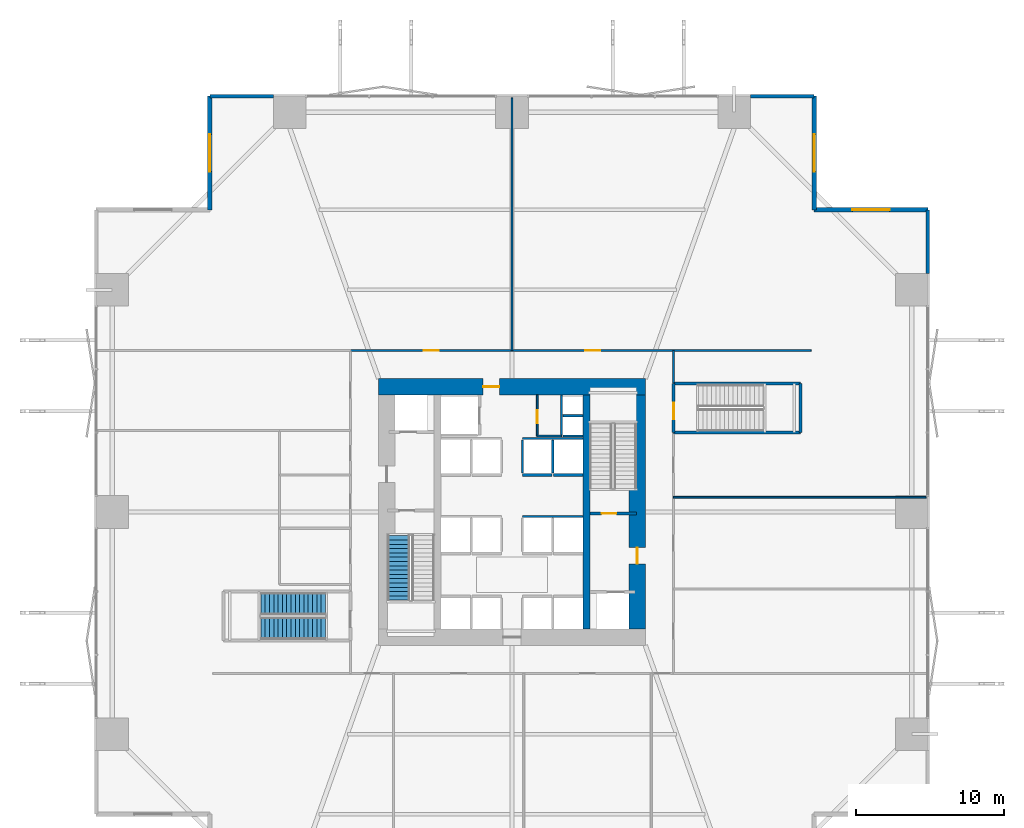
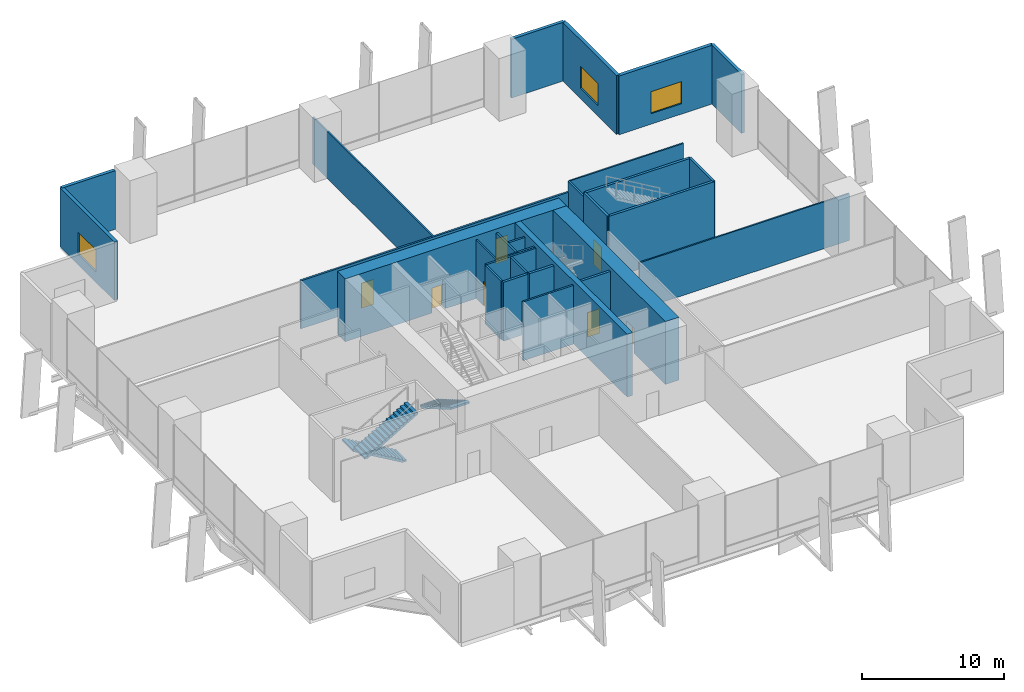
# One storey, part 21 of 24: 30 walls, 7 doors, 3 stair flights, 3 windows, 10 openings, 2 elements without a shape of their own.
"""IFC4 building model written with IfcOpenShell, lengths in metres."""

from ifc_helpers import new_model, si_unit, direction, frame, frame_2d, origin, place, context, subcontext, project, spatial, polyline, rectangle, outline, extrude, material, layer, layer_set, type_object, element, fill, aggregate, save


model = new_model("IFC4")

# Units and contexts
model_context = context("Model", 3, precision=1e-05, world=origin(), true_north=direction((0.0, 1.0)))
body_context = subcontext(model_context, "Body", "Model", "MODEL_VIEW")
ifc_project = project(units=[si_unit("LENGTHUNIT", "METRE"), si_unit("AREAUNIT", "SQUARE_METRE"), si_unit("VOLUMEUNIT", "CUBIC_METRE"), si_unit("PLANEANGLEUNIT", "RADIAN"), si_unit("MASSUNIT", "GRAM", prefix="KILO")], contexts=[model_context])

# Site, building, storey
site_placement = place(None, origin())
site = spatial("IfcSite", under=ifc_project, at=site_placement, CompositionType="ELEMENT")
building_placement = place(site_placement, origin())
building = spatial("IfcBuilding", under=site, at=building_placement, Name="Belovzor Exchange Tower", CompositionType="ELEMENT")
storey_placement = place(building_placement, frame((0.0, 0.0, 13.800048828125)))
storey = spatial("IfcBuildingStorey", under=building, at=storey_placement, Name="L03", CompositionType="ELEMENT", Elevation=13.800048828125)

# Walls
ifc_material_1 = material(Name="Acoustic Plasterboard on Galvanised Studs", Category="gypsum")
ifc_layer_1 = layer(ifc_material_1, 0.1201171875)
ifc_layer_set_1 = layer_set([ifc_layer_1], Name="Acoustic Plasterboard on Galvanised Studs")
wall_type_1 = type_object("IfcWallType", Name="Acoustic Double-Stud Partition Wall 120", PredefinedType="PARTITIONING", material=ifc_layer_set_1)
for number, where, z_axis, x_axis, name in (
    (1, (28.800048828125, 39.699951171875, 0.0), (0.0, 0.0, 1.0), (0.0, 1.0, 0.0), "W-P120 Partition Wall W-L03-ND1"),
    (2, (39.699951171875, 29.800048828125, 0.0), (0.0, 0.0, 1.0), (1.0, 0.0, 0.0), "W-P120 Partition Wall W-L03-ED2"),
):
    element("IfcWall", number, at=place(storey_placement, frame(where, z_axis=z_axis, x_axis=x_axis)), inside=storey, type_object=wall_type_1, Name=name, PredefinedType="PARTITIONING", context=body_context, shape_type="SweptSolid", body=[
        extrude(rectangle(XDim=17.050048828125, YDim=0.1201171875, at=frame_2d((8.52490234375, 0.0))), origin(), (0.0, 0.0, 1.0), 4.034912109375),
    ])
wall_1_placement = place(storey_placement, frame((39.699951171875, 39.699951171875, 0.0), z_axis=(0.0, 0.0, 1.0), x_axis=(1.0, 0.0, 0.0)))
element("IfcWall", 3, at=wall_1_placement, inside=storey, type_object=wall_type_1, Name="W-P120 Partition Wall W-L03-OUT-NE", PredefinedType="PARTITIONING", context=body_context, shape_type="SweptSolid", body=[
    extrude(rectangle(XDim=9.300048828125, YDim=0.1201171875, at=frame_2d((4.64990234375, 0.0))), origin(), (0.0, 0.0, 1.0), 5.050048828125),
])

# Wall, opening, door
ifc_material_2 = material(Name="Fire-Rated Plasterboard on Galvanised Studs", Category="gypsum")
ifc_layer_2 = layer(ifc_material_2, 0.1201171875)
ifc_layer_set_2 = layer_set([ifc_layer_2], Name="Fire-Rated Plasterboard on Galvanised Studs")
wall_type_2 = type_object("IfcWallType", Name="Fire-Rated Double-Stud Partition Wall 120", PredefinedType="PARTITIONING", material=ifc_layer_set_2)
wall_2_placement = place(storey_placement, frame((30.5, 33.925048828125, 0.0), z_axis=(0.0, 0.0, 1.0), x_axis=(0.0, 1.0, 0.0)))
wall_2 = element("IfcWall", 4, at=wall_2_placement, inside=storey, type_object=wall_type_2, Name="W-P120F Partition Wall W-CRV-L03-W", PredefinedType="PARTITIONING", context=body_context, shape_type="SweptSolid", body=[
    extrude(rectangle(XDim=2.77490234375, YDim=0.1201171875, at=frame_2d((1.387451171875, 0.0))), origin(), (0.0, 0.0, 1.0), 5.050048828125),
])
opening_1_placement = place(wall_2_placement, frame((0.85009765625, 0.0, 0.0)))
opening_1 = element("IfcOpeningElement", 5, at=opening_1_placement, cuts=wall_2, Name="Opening D-FD60-090", PredefinedType="OPENING", context=body_context, shape_type="SweptSolid", body=[
    extrude(rectangle(XDim=0.89990234375, YDim=2.10009765625, at=frame_2d((0.449951171875, 1.050048828125))), frame((0.0, 0.070068359375, 0.0), z_axis=(0.0, -1.0, 0.0), x_axis=(1.0, 0.0, 0.0)), (0.0, 0.0, 1.0), 0.14013671875),
])
ifc_material_3 = material(Name="Acoustic Timber Fire Leaf", Category="wood")
door_type_1 = type_object("IfcDoorType", Name="Core Service & Restroom Fire Door 900x2100", OperationType="NOTDEFINED", PredefinedType="DOOR", material=ifc_material_3)
door_1_placement = place(opening_1_placement, origin())
door_1 = element("IfcDoor", 6, at=door_1_placement, inside=storey, type_object=door_type_1, Name="D-FD60-090 Core Service & Restroom Fire Door 900x2100", OperationType="SINGLE_SWING_LEFT", OverallHeight=2.10009765625, OverallWidth=0.89990234375, PredefinedType="DOOR", context=body_context, shape_type="SweptSolid", body=[
    extrude(rectangle(XDim=0.89990234375, YDim=2.10009765625, at=frame_2d((0.449951171875, 1.050048828125))), frame((0.0, 0.02490234375, 0.0), z_axis=(0.0, -1.0, 0.0), x_axis=(1.0, 0.0, 0.0)), (0.0, 0.0, 1.0), 0.050048828125),
])
fill(opening_1, door_1)

# Wall
wall_3_placement = place(storey_placement, frame((30.5, 33.925048828125, 0.0), z_axis=(0.0, 0.0, 1.0), x_axis=(1.0, 0.0, 0.0)))
element("IfcWall", 7, at=wall_3_placement, inside=storey, type_object=wall_type_2, Name="W-P120F Partition Wall W-CRV-L03-S", PredefinedType="PARTITIONING", context=body_context, shape_type="SweptSolid", body=[
    extrude(rectangle(XDim=1.64990234375, YDim=0.1201171875, at=frame_2d((0.824951171875, 0.0))), origin(), (0.0, 0.0, 1.0), 5.050048828125),
])

# Wall, openings, doors
ifc_material_4 = material(Name="Fire-Rated Gypsum Block and Mineral Wool", Category="gypsum")
ifc_layer_3 = layer(ifc_material_4, 0.14990234375)
ifc_layer_set_3 = layer_set([ifc_layer_3], Name="Fire-Rated Gypsum Block and Mineral Wool")
wall_type_3 = type_object("IfcWallType", Name="Fire-Rated Gypsum Block Corridor Wall 150", PredefinedType="PARTITIONING", material=ifc_layer_set_3)
wall_4_placement = place(storey_placement, frame((17.89990234375, 39.699951171875, 0.0), z_axis=(0.0, 0.0, 1.0), x_axis=(1.0, 0.0, 0.0)))
wall_4 = element("IfcWall", 8, at=wall_4_placement, inside=storey, type_object=wall_type_3, Name="W-P150 Partition Wall W-L03-CN", PredefinedType="PARTITIONING", context=body_context, shape_type="SweptSolid", body=[
    extrude(rectangle(XDim=21.800048828125, YDim=0.14990234375, at=frame_2d((10.89990234375, 0.0))), origin(), (0.0, 0.0, 1.0), 4.135009765625),
])
opening_2_placement = place(wall_4_placement, frame((4.949951171875, 0.0, 0.0)))
opening_2 = element("IfcOpeningElement", 9, at=opening_2_placement, cuts=wall_4, Name="Opening D-FD60-105", PredefinedType="OPENING", context=body_context, shape_type="SweptSolid", body=[
    extrude(rectangle(XDim=1.0, YDim=2.14990234375, at=frame_2d((0.5, 1.074951171875))), frame((0.0, 0.0849609375, 0.0), z_axis=(0.0, -1.0, 0.0), x_axis=(1.0, 0.0, 0.0)), (0.0, 0.0, 1.0), 0.169921875),
])
opening_3_placement = place(wall_4_placement, frame((15.85009765625, 0.0, 0.0)))
opening_3 = element("IfcOpeningElement", 10, at=opening_3_placement, cuts=wall_4, Name="Opening D-FD60-105", PredefinedType="OPENING", context=body_context, shape_type="SweptSolid", body=[
    extrude(rectangle(XDim=1.0, YDim=2.14990234375, at=frame_2d((0.5, 1.074951171875))), frame((0.0, 0.0849609375, 0.0), z_axis=(0.0, -1.0, 0.0), x_axis=(1.0, 0.0, 0.0)), (0.0, 0.0, 1.0), 0.169921875),
])
ifc_material_5 = material(Name="Acoustic Timber Fire Leaf", Category="wood")
door_type_2 = type_object("IfcDoorType", Name="Podium Gallery Acoustic Fire Door 1000x2150", OperationType="NOTDEFINED", PredefinedType="DOOR", material=ifc_material_5)
door_2_placement = place(opening_2_placement, origin())
door_2 = element("IfcDoor", 11, at=door_2_placement, inside=storey, type_object=door_type_2, Name="D-FD60-105 Podium Gallery Acoustic Fire Door 1000x2150", OperationType="SINGLE_SWING_RIGHT", OverallHeight=2.14990234375, OverallWidth=1.0, PredefinedType="DOOR", context=body_context, shape_type="SweptSolid", body=[
    extrude(rectangle(XDim=1.0, YDim=2.14990234375, at=frame_2d((0.5, 1.074951171875))), frame((0.0, 0.02490234375, 0.0), z_axis=(0.0, -1.0, 0.0), x_axis=(1.0, 0.0, 0.0)), (0.0, 0.0, 1.0), 0.050048828125),
])
fill(opening_2, door_2)
door_3_placement = place(opening_3_placement, origin())
door_3 = element("IfcDoor", 12, at=door_3_placement, inside=storey, type_object=door_type_2, Name="D-FD60-105 Podium Gallery Acoustic Fire Door 1000x2150", OperationType="SINGLE_SWING_RIGHT", OverallHeight=2.14990234375, OverallWidth=1.0, PredefinedType="DOOR", context=body_context, shape_type="SweptSolid", body=[
    extrude(rectangle(XDim=1.0, YDim=2.14990234375, at=frame_2d((0.5, 1.074951171875))), frame((0.0, 0.02490234375, 0.0), z_axis=(0.0, -1.0, 0.0), x_axis=(1.0, 0.0, 0.0)), (0.0, 0.0, 1.0), 0.050048828125),
])
fill(opening_3, door_3)

# Wall
wall_5_placement = place(storey_placement, frame((39.699951171875, 37.5, 0.0), z_axis=(0.0, 0.0, 1.0), x_axis=(0.0, 1.0, 0.0)))
element("IfcWall", 13, at=wall_5_placement, inside=storey, type_object=wall_type_3, Name="W-P150 Partition Wall W-L03-CEN", PredefinedType="PARTITIONING", context=body_context, shape_type="SweptSolid", body=[
    extrude(rectangle(XDim=2.199951171875, YDim=0.14990234375, at=frame_2d((1.10009765625, 0.0))), origin(), (0.0, 0.0, 1.0), 5.050048828125),
])

# Wall, opening, window
ifc_material_6 = material(Name="Precast concrete C40/50", Category="concrete")
ifc_layer_4 = layer(ifc_material_6, 0.280029296875)
ifc_layer_set_4 = layer_set([ifc_layer_4], Name="Precast concrete C40/50")
wall_type_4 = type_object("IfcWallType", Name="Precast Concrete Notched Corner Frame Wall 280", PredefinedType="SOLIDWALL", material=ifc_layer_set_4)
wall_6_placement = place(storey_placement, frame((8.39990234375, 49.199951171875, 0.0), z_axis=(0.0, 0.0, 1.0), x_axis=(0.0, 1.0, 0.0)))
wall_6 = element("IfcWall", 14, at=wall_6_placement, inside=storey, type_object=wall_type_4, Name="W-CRN280 Precast Concrete Notched Corner Frame Wall 280 L03", PredefinedType="SOLIDWALL", context=body_context, shape_type="SweptSolid", body=[
    extrude(rectangle(XDim=7.670166015625, YDim=0.280029296875, at=frame_2d((3.8349609375, 0.0))), origin(), (0.0, 0.0, 1.0), 5.050048828125),
])
opening_4_placement = place(wall_6_placement, frame((2.5849609375, 0.0, 0.89990234375)))
opening_4 = element("IfcOpeningElement", 15, at=opening_4_placement, cuts=wall_6, Name="Opening WN-CRN250", PredefinedType="OPENING", context=body_context, shape_type="SweptSolid", body=[
    extrude(rectangle(XDim=2.5, YDim=1.89990234375, at=frame_2d((1.25, 0.949951171875))), frame((0.0, 0.14990234375, 0.0), z_axis=(0.0, -1.0, 0.0), x_axis=(1.0, 0.0, 0.0)), (0.0, 0.0, 1.0), 0.300048828125),
])
ifc_material_7 = material(Name="Thermally Broken Aluminium and Triple Glazing", Category="aluminium")
window_type = type_object("IfcWindowType", Name="Streamline Moderne Corner Wrap Ribbon Window 2500x1900", PartitioningType="SINGLE_PANEL", PredefinedType="WINDOW", material=ifc_material_7)
window_1_placement = place(opening_4_placement, origin())
window_1 = element("IfcWindow", 16, at=window_1_placement, inside=storey, type_object=window_type, Name="WN-CRN250 Streamline Moderne Corner Wrap Ribbon Window 2500x1900", OverallHeight=1.89990234375, OverallWidth=2.5, PartitioningType="SINGLE_PANEL", PredefinedType="WINDOW", context=body_context, shape_type="SweptSolid", body=[
    extrude(rectangle(XDim=2.5, YDim=1.89990234375, at=frame_2d((1.25, 0.949951171875))), frame((0.0, 0.030029296875, 0.0), z_axis=(0.0, -1.0, 0.0), x_axis=(1.0, 0.0, 0.0)), (0.0, 0.0, 1.0), 0.06005859375),
])
fill(opening_4, window_1)

wall_7_placement = place(storey_placement, frame((49.199951171875, 56.8701171875, 0.0), z_axis=(0.0, 0.0, 1.0), x_axis=(0.0, -1.0, 0.0)))
wall_7 = element("IfcWall", 17, at=wall_7_placement, inside=storey, type_object=wall_type_4, Name="W-CRN280 Precast Concrete Notched Corner Frame Wall 280 L03", PredefinedType="SOLIDWALL", context=body_context, shape_type="SweptSolid", body=[
    extrude(rectangle(XDim=7.670166015625, YDim=0.280029296875, at=frame_2d((3.8349609375, 0.0))), origin(), (0.0, 0.0, 1.0), 5.050048828125),
])
opening_5_placement = place(wall_7_placement, frame((2.5849609375, 0.0, 0.89990234375)))
opening_5 = element("IfcOpeningElement", 18, at=opening_5_placement, cuts=wall_7, Name="Opening WN-CRN250", PredefinedType="OPENING", context=body_context, shape_type="SweptSolid", body=[
    extrude(rectangle(XDim=2.5, YDim=1.89990234375, at=frame_2d((1.25, 0.949951171875))), frame((0.0, 0.14990234375, 0.0), z_axis=(0.0, -1.0, 0.0), x_axis=(1.0, 0.0, 0.0)), (0.0, 0.0, 1.0), 0.300048828125),
])
window_2_placement = place(opening_5_placement, origin())
window_2 = element("IfcWindow", 19, at=window_2_placement, inside=storey, type_object=window_type, Name="WN-CRN250 Streamline Moderne Corner Wrap Ribbon Window 2500x1900", OverallHeight=1.89990234375, OverallWidth=2.5, PartitioningType="SINGLE_PANEL", PredefinedType="WINDOW", context=body_context, shape_type="SweptSolid", body=[
    extrude(rectangle(XDim=2.5, YDim=1.89990234375, at=frame_2d((1.25, 0.949951171875))), frame((0.0, 0.030029296875, 0.0), z_axis=(0.0, -1.0, 0.0), x_axis=(1.0, 0.0, 0.0)), (0.0, 0.0, 1.0), 0.06005859375),
])
fill(opening_5, window_2)

wall_8_placement = place(storey_placement, frame((49.199951171875, 49.199951171875, 0.0), z_axis=(0.0, 0.0, 1.0), x_axis=(1.0, 0.0, 0.0)))
wall_8 = element("IfcWall", 20, at=wall_8_placement, inside=storey, type_object=wall_type_4, Name="W-CRN280 Precast Concrete Notched Corner Frame Wall 280 L03", PredefinedType="SOLIDWALL", context=body_context, shape_type="SweptSolid", body=[
    extrude(rectangle(XDim=7.670166015625, YDim=0.280029296875, at=frame_2d((3.8349609375, 0.0))), origin(), (0.0, 0.0, 1.0), 5.050048828125),
])
opening_6_placement = place(wall_8_placement, frame((2.5849609375, 0.0, 0.89990234375)))
opening_6 = element("IfcOpeningElement", 21, at=opening_6_placement, cuts=wall_8, Name="Opening WN-CRN250", PredefinedType="OPENING", context=body_context, shape_type="SweptSolid", body=[
    extrude(rectangle(XDim=2.5, YDim=1.89990234375, at=frame_2d((1.25, 0.949951171875))), frame((0.0, 0.14990234375, 0.0), z_axis=(0.0, -1.0, 0.0), x_axis=(1.0, 0.0, 0.0)), (0.0, 0.0, 1.0), 0.300048828125),
])
window_3_placement = place(opening_6_placement, origin())
window_3 = element("IfcWindow", 22, at=window_3_placement, inside=storey, type_object=window_type, Name="WN-CRN250 Streamline Moderne Corner Wrap Ribbon Window 2500x1900", OverallHeight=1.89990234375, OverallWidth=2.5, PartitioningType="SINGLE_PANEL", PredefinedType="WINDOW", context=body_context, shape_type="SweptSolid", body=[
    extrude(rectangle(XDim=2.5, YDim=1.89990234375, at=frame_2d((1.25, 0.949951171875))), frame((0.0, 0.030029296875, 0.0), z_axis=(0.0, -1.0, 0.0), x_axis=(1.0, 0.0, 0.0)), (0.0, 0.0, 1.0), 0.06005859375),
])
fill(opening_6, window_3)

# Walls
ifc_material_8 = material(Name="Precast concrete C40/50", Category="concrete")
ifc_layer_5 = layer(ifc_material_8, 0.260009765625)
ifc_layer_set_5 = layer_set([ifc_layer_5], Name="Precast concrete C40/50")
wall_type_5 = type_object("IfcWallType", Name="Precast Concrete Perimeter Loggia Frame Wall 260", PredefinedType="SOLIDWALL", material=ifc_layer_set_5)
for number, where, z_axis, x_axis, name in (
    (23, (8.39990234375, 56.8701171875, 0.0), (0.0, 0.0, 1.0), (1.0, 0.0, 0.0), "W-EXT260 Precast Concrete Perimeter Loggia Frame Wall 260 L03"),
    (24, (44.89990234375, 56.8701171875, 0.0), (0.0, 0.0, 1.0), (1.0, 0.0, 0.0), "W-EXT260 Precast Concrete Perimeter Loggia Frame Wall 260 L03"),
    (25, (56.8701171875, 49.199951171875, 0.0), (0.0, 0.0, 1.0), (0.0, -1.0, 0.0), "W-EXT260 Precast Concrete Perimeter Loggia Frame Wall 260 L03"),
):
    element("IfcWall", number, at=place(storey_placement, frame(where, z_axis=z_axis, x_axis=x_axis)), inside=storey, type_object=wall_type_5, Name=name, PredefinedType="SOLIDWALL", context=body_context, shape_type="SweptSolid", body=[
        extrude(rectangle(XDim=4.300048828125, YDim=0.260009765625, at=frame_2d((2.14990234375, 0.0))), origin(), (0.0, 0.0, 1.0), 5.050048828125),
    ])
ifc_material_9 = material(Name="Concrete C50/60", Category="concrete")
ifc_layer_6 = layer(ifc_material_9, 0.449951171875)
ifc_layer_set_6 = layer_set([ifc_layer_6], Name="Concrete C50/60")
wall_type_6 = type_object("IfcWallType", Name="Reinforced Concrete Core Internal Web Wall 450", PredefinedType="SHEAR", material=ifc_layer_set_6)
wall_9_placement = place(storey_placement, frame((33.824951171875, 20.89990234375, 0.0), z_axis=(0.0, 0.0, 1.0), x_axis=(0.0, 1.0, 0.0)))
element("IfcWall", 26, at=wall_9_placement, inside=storey, type_object=wall_type_6, Name="CW-W045 Core Internal Web Wall L03 ER", PredefinedType="SHEAR", context=body_context, shape_type="SweptSolid", body=[
    extrude(rectangle(XDim=15.800048828125, YDim=0.449951171875, at=frame_2d((7.89990234375, 0.0))), origin(), (0.0, 0.0, 1.0), 5.39990234375),
])
ifc_material_10 = material(Name="Concrete C50/60", Category="concrete")
ifc_layer_7 = layer(ifc_material_10, 0.14990234375)
ifc_layer_set_7 = layer_set([ifc_layer_7], Name="Concrete C50/60")
wall_type_7 = type_object("IfcWallType", Name="Reinforced Concrete Core Riser Shear Wall 150", PredefinedType="SHEAR", material=ifc_layer_set_7)
wall_10_placement = place(storey_placement, frame((32.14990234375, 34.0, 0.0), z_axis=(0.0, 0.0, 1.0), x_axis=(0.0, 1.0, 0.0)))
element("IfcWall", 27, at=wall_10_placement, inside=storey, type_object=wall_type_7, Name="W-C150S Core Shaft Wall W-RSR-L03-E", PredefinedType="SHEAR", context=body_context, shape_type="SweptSolid", body=[
    extrude(rectangle(XDim=2.699951171875, YDim=0.14990234375, at=frame_2d((1.35009765625, 0.0))), origin(), (0.0, 0.0, 1.0), 5.050048828125),
])
for number, where, z_axis, x_axis, name in (
    (28, (32.25, 33.925048828125, 0.0), (0.0, 0.0, 1.0), (1.0, 0.0, 0.0), "W-C150S Core Shaft Wall W-RSR-L03-S"),
    (29, (32.25, 35.300048828125, 0.0), (0.0, 0.0, 1.0), (1.0, 0.0, 0.0), "W-C150S Core Shaft Wall W-RSR-L03-M"),
):
    element("IfcWall", number, at=place(storey_placement, frame(where, z_axis=z_axis, x_axis=x_axis)), inside=storey, type_object=wall_type_7, Name=name, PredefinedType="SHEAR", context=body_context, shape_type="SweptSolid", body=[
        extrude(rectangle(XDim=1.330078125, YDim=0.14990234375, at=frame_2d((0.6650390625, 0.0))), origin(), (0.0, 0.0, 1.0), 5.050048828125),
    ])
for number, where, z_axis, x_axis, name in (
    (30, (29.5, 28.5, 0.0), (0.0, 0.0, 1.0), (1.0, 0.0, 0.0), "W-C150S Core Shaft Wall W-SHB-L03-PLM-NE"),
    (31, (29.5, 33.760009765625, 0.0), (0.0, 0.0, 1.0), (1.0, 0.0, 0.0), "W-C150S Core Shaft Wall W-SHB-L03-PLH-NE"),
):
    element("IfcWall", number, at=place(storey_placement, frame(where, z_axis=z_axis, x_axis=x_axis)), inside=storey, type_object=wall_type_7, Name=name, PredefinedType="SHEAR", context=body_context, shape_type="SweptSolid", body=[
        extrude(rectangle(XDim=4.080078125, YDim=0.14990234375, at=frame_2d((2.0400390625, 0.0))), origin(), (0.0, 0.0, 1.0), 5.050048828125),
    ])
for number, where, z_axis, x_axis, name in (
    (32, (29.5, 31.419921875, 0.0), (0.0, 0.0, 1.0), (0.0, 1.0, 0.0), "W-C150S Core Shaft Wall W-SHD-L03-PLH-3"),
    (33, (31.550048828125, 31.419921875, 0.0), (0.0, 0.0, 1.0), (0.0, 1.0, 0.0), "W-C150S Core Shaft Wall W-SHD-L03-PLH-4"),
):
    element("IfcWall", number, at=place(storey_placement, frame(where, z_axis=z_axis, x_axis=x_axis)), inside=storey, type_object=wall_type_7, Name=name, PredefinedType="SHEAR", context=body_context, shape_type="SweptSolid", body=[
        extrude(rectangle(XDim=2.239990234375, YDim=0.14990234375, at=frame_2d((1.1201171875, 0.0))), origin(), (0.0, 0.0, 1.0), 5.050048828125),
    ])

# Wall, opening, door
ifc_material_11 = material(Name="Concrete C50/60", Category="concrete")
ifc_layer_8 = layer(ifc_material_11, 0.199951171875)
ifc_layer_set_8 = layer_set([ifc_layer_8], Name="Concrete C50/60")
wall_type_8 = type_object("IfcWallType", Name="Reinforced Concrete Core Shaft Shear Wall 200", PredefinedType="SHEAR", material=ifc_layer_set_8)
wall_11_placement = place(storey_placement, frame((34.050048828125, 28.699951171875, 0.0), z_axis=(0.0, 0.0, 1.0), x_axis=(1.0, 0.0, 0.0)))
wall_11 = element("IfcWall", 34, at=wall_11_placement, inside=storey, type_object=wall_type_8, Name="W-C200S Core Shaft Wall W-CORE-L03-FFLE2", PredefinedType="SHEAR", context=body_context, shape_type="SweptSolid", body=[
    extrude(rectangle(XDim=3.14990234375, YDim=0.199951171875, at=frame_2d((1.574951171875, 0.0))), origin(), (0.0, 0.0, 1.0), 5.050048828125),
])
opening_7_placement = place(wall_11_placement, frame((0.800048828125, 0.0, 0.0)))
opening_7 = element("IfcOpeningElement", 35, at=opening_7_placement, cuts=wall_11, Name="Opening D-FD90-100", PredefinedType="OPENING", context=body_context, shape_type="SweptSolid", body=[
    extrude(rectangle(XDim=1.0, YDim=2.10009765625, at=frame_2d((0.5, 1.050048828125))), frame((0.0, 0.10986328125, 0.0), z_axis=(0.0, -1.0, 0.0), x_axis=(1.0, 0.0, 0.0)), (0.0, 0.0, 1.0), 0.219970703125),
])
ifc_material_12 = material(Name="Fire-Rated Galvanised Steel Leaf", Category="steel")
door_type_3 = type_object("IfcDoorType", Name="Protected Stairwell Single Fire Door 1000x2100", OperationType="NOTDEFINED", PredefinedType="DOOR", material=ifc_material_12)
door_4_placement = place(opening_7_placement, origin())
door_4 = element("IfcDoor", 36, at=door_4_placement, inside=storey, type_object=door_type_3, Name="D-FD90-100 Protected Stairwell Single Fire Door 1000x2100", OperationType="SINGLE_SWING_LEFT", OverallHeight=2.10009765625, OverallWidth=1.0, PredefinedType="DOOR", context=body_context, shape_type="SweptSolid", body=[
    extrude(rectangle(XDim=1.0, YDim=2.10009765625, at=frame_2d((0.5, 1.050048828125))), frame((0.0, 0.02490234375, 0.0), z_axis=(0.0, -1.0, 0.0), x_axis=(1.0, 0.0, 0.0)), (0.0, 0.0, 1.0), 0.050048828125),
])
fill(opening_7, door_4)

# Walls
for number, where, z_axis, x_axis, name in (
    (37, (29.5, 31.300048828125, 0.0), (0.0, 0.0, 1.0), (1.0, 0.0, 0.0), "W-C200S Core Shaft Wall W-SH-L03-PL-H3"),
    (38, (31.60009765625, 31.300048828125, 0.0), (0.0, 0.0, 1.0), (1.0, 0.0, 0.0), "W-C200S Core Shaft Wall W-SH-L03-PL-H4"),
):
    element("IfcWall", number, at=place(storey_placement, frame(where, z_axis=z_axis, x_axis=x_axis)), inside=storey, type_object=wall_type_8, Name=name, PredefinedType="SHEAR", context=body_context, shape_type="SweptSolid", body=[
        extrude(rectangle(XDim=2.0, YDim=0.199951171875, at=frame_2d((1.0, 0.0))), origin(), (0.0, 0.0, 1.0), 5.050048828125),
    ])
for number, where, z_axis, x_axis, name in (
    (39, (39.715087890625, 34.1650390625, 0.0), (0.0, 0.0, 1.0), (1.0, 0.0, 0.0), "W-C200S Core Shaft Wall W-ST4-L03-S"),
    (40, (39.715087890625, 37.485107421875, 0.0), (0.0, 0.0, 1.0), (1.0, 0.0, 0.0), "W-C200S Core Shaft Wall W-ST4-L03-N"),
):
    element("IfcWall", number, at=place(storey_placement, frame(where, z_axis=z_axis, x_axis=x_axis)), inside=storey, type_object=wall_type_8, Name=name, PredefinedType="SHEAR", context=body_context, shape_type="SweptSolid", body=[
        extrude(rectangle(XDim=8.56982421875, YDim=0.199951171875, at=frame_2d((4.284912109375, 0.0))), origin(), (0.0, 0.0, 1.0), 5.39794921875),
    ])
wall_12_placement = place(storey_placement, frame((48.284912109375, 34.1650390625, 0.0), z_axis=(0.0, 0.0, 1.0), x_axis=(0.0, 1.0, 0.0)))
element("IfcWall", 41, at=wall_12_placement, inside=storey, type_object=wall_type_8, Name="W-C200S Core Shaft Wall W-ST4-L03-E", PredefinedType="SHEAR", context=body_context, shape_type="SweptSolid", body=[
    extrude(rectangle(XDim=3.320068359375, YDim=0.199951171875, at=frame_2d((1.66015625, 0.0))), origin(), (0.0, 0.0, 1.0), 5.39794921875),
])

# Wall, opening, door
wall_13_placement = place(storey_placement, frame((39.715087890625, 34.1650390625, 0.0), z_axis=(0.0, 0.0, 1.0), x_axis=(0.0, 1.0, 0.0)))
wall_13 = element("IfcWall", 42, at=wall_13_placement, inside=storey, type_object=wall_type_8, Name="W-C200S Core Shaft Wall W-ST4-L03-W", PredefinedType="SHEAR", context=body_context, shape_type="SweptSolid", body=[
    extrude(rectangle(XDim=3.320068359375, YDim=0.199951171875, at=frame_2d((1.66015625, 0.0))), origin(), (0.0, 0.0, 1.0), 5.39794921875),
])
opening_8_placement = place(wall_13_placement, frame((0.89990234375, 0.0, 0.0)))
opening_8 = element("IfcOpeningElement", 43, at=opening_8_placement, cuts=wall_13, Name="Opening D-FD90-110", PredefinedType="OPENING", context=body_context, shape_type="SweptSolid", body=[
    extrude(rectangle(XDim=1.10009765625, YDim=2.14990234375, at=frame_2d((0.550048828125, 1.074951171875))), frame((0.0, 0.10986328125, 0.0), z_axis=(0.0, -1.0, 0.0), x_axis=(1.0, 0.0, 0.0)), (0.0, 0.0, 1.0), 0.219970703125),
])
ifc_material_13 = material(Name="Fire-Rated Galvanised Steel Leaf", Category="steel")
door_type_4 = type_object("IfcDoorType", Name="Protected Escape Vestibule Fire Door 1100x2150", OperationType="NOTDEFINED", PredefinedType="DOOR", material=ifc_material_13)
door_5_placement = place(opening_8_placement, origin())
door_5 = element("IfcDoor", 44, at=door_5_placement, inside=storey, type_object=door_type_4, Name="D-FD90-110 Protected Escape Vestibule Fire Door 1100x2150", OperationType="SINGLE_SWING_RIGHT", OverallHeight=2.14990234375, OverallWidth=1.10009765625, PredefinedType="DOOR", context=body_context, shape_type="SweptSolid", body=[
    extrude(rectangle(XDim=1.10009765625, YDim=2.14990234375, at=frame_2d((0.550048828125, 1.074951171875))), frame((0.0, 0.02490234375, 0.0), z_axis=(0.0, -1.0, 0.0), x_axis=(1.0, 0.0, 0.0)), (0.0, 0.0, 1.0), 0.050048828125),
])
fill(opening_8, door_5)

ifc_material_14 = material(Name="Concrete C60/75", Category="concrete")
ifc_layer_9 = layer(ifc_material_14, 1.10009765625)
ifc_layer_set_9 = layer_set([ifc_layer_9], Name="Concrete C60/75")
wall_type_9 = type_object("IfcWallType", Name="Reinforced Concrete Core Shear Wall 1100", PredefinedType="SHEAR", material=ifc_layer_set_9)
wall_14_placement = place(storey_placement, frame((19.800048828125, 37.25, 0.0), z_axis=(0.0, 0.0, 1.0), x_axis=(1.0, 0.0, 0.0)))
wall_14 = element("IfcWall", 45, at=wall_14_placement, inside=storey, type_object=wall_type_9, Name="CW-S110 Core Shear Wall L03 N", PredefinedType="SHEAR", context=body_context, shape_type="SweptSolid", body=[
    extrude(rectangle(XDim=18.0, YDim=1.10009765625, at=frame_2d((9.0, 0.0))), origin(), (0.0, 0.0, 1.0), 5.39990234375),
])
opening_9_placement = place(wall_14_placement, frame((7.050048828125, 0.0, 0.0)))
opening_9 = element("IfcOpeningElement", 46, at=opening_9_placement, cuts=wall_14, Name="Opening D-FD90-110", PredefinedType="OPENING", context=body_context, shape_type="SweptSolid", body=[
    extrude(rectangle(XDim=1.10009765625, YDim=2.14990234375, at=frame_2d((0.550048828125, 1.074951171875))), frame((0.0, 0.56005859375, 0.0), z_axis=(0.0, -1.0, 0.0), x_axis=(1.0, 0.0, 0.0)), (0.0, 0.0, 1.0), 1.1201171875),
])
door_6_placement = place(opening_9_placement, origin())
door_6 = element("IfcDoor", 47, at=door_6_placement, inside=storey, type_object=door_type_4, Name="D-FD90-110 Protected Escape Vestibule Fire Door 1100x2150", OperationType="SINGLE_SWING_RIGHT", OverallHeight=2.14990234375, OverallWidth=1.10009765625, PredefinedType="DOOR", context=body_context, shape_type="SweptSolid", body=[
    extrude(rectangle(XDim=1.10009765625, YDim=2.14990234375, at=frame_2d((0.550048828125, 1.074951171875))), frame((0.0, 0.02490234375, 0.0), z_axis=(0.0, -1.0, 0.0), x_axis=(1.0, 0.0, 0.0)), (0.0, 0.0, 1.0), 0.050048828125),
])
fill(opening_9, door_6)

wall_15_placement = place(storey_placement, frame((37.25, 20.89990234375, 0.0), z_axis=(0.0, 0.0, 1.0), x_axis=(0.0, 1.0, 0.0)))
wall_15 = element("IfcWall", 48, at=wall_15_placement, inside=storey, type_object=wall_type_9, Name="CW-S110 Core Shear Wall L03 E", PredefinedType="SHEAR", context=body_context, shape_type="SweptSolid", body=[
    extrude(rectangle(XDim=15.800048828125, YDim=1.10009765625, at=frame_2d((7.89990234375, 0.0))), origin(), (0.0, 0.0, 1.0), 5.39990234375),
])
opening_10_placement = place(wall_15_placement, frame((4.39990234375, 0.0, 0.0)))
opening_10 = element("IfcOpeningElement", 49, at=opening_10_placement, cuts=wall_15, Name="Opening D-FD90-110", PredefinedType="OPENING", context=body_context, shape_type="SweptSolid", body=[
    extrude(rectangle(XDim=1.10009765625, YDim=2.14990234375, at=frame_2d((0.550048828125, 1.074951171875))), frame((0.0, 0.56005859375, 0.0), z_axis=(0.0, -1.0, 0.0), x_axis=(1.0, 0.0, 0.0)), (0.0, 0.0, 1.0), 1.1201171875),
])
door_7_placement = place(opening_10_placement, origin())
door_7 = element("IfcDoor", 50, at=door_7_placement, inside=storey, type_object=door_type_4, Name="D-FD90-110 Protected Escape Vestibule Fire Door 1100x2150", OperationType="SINGLE_SWING_RIGHT", OverallHeight=2.14990234375, OverallWidth=1.10009765625, PredefinedType="DOOR", context=body_context, shape_type="SweptSolid", body=[
    extrude(rectangle(XDim=1.10009765625, YDim=2.14990234375, at=frame_2d((0.550048828125, 1.074951171875))), frame((0.0, 0.02490234375, 0.0), z_axis=(0.0, -1.0, 0.0), x_axis=(1.0, 0.0, 0.0)), (0.0, 0.0, 1.0), 0.050048828125),
])
fill(opening_10, door_7)

# Stair, stair flights
ifc_material_15 = material(Name="Concrete C40/50", Category="concrete")
stair_type_1 = type_object("IfcStairType", Name="Reinforced Concrete Podium Escape Stair 1400", PredefinedType="HALF_TURN_STAIR", material=ifc_material_15)
stair_1_placement = place(storey_placement, origin())
stair_1 = element("IfcStair", 51, at=stair_1_placement, inside=storey, type_object=stair_type_1, Name="L03 ST-3", PredefinedType="HALF_TURN_STAIR")
ifc_material_16 = material(Name="Concrete C40/50", Category="concrete")
stair_flight_type_1 = type_object("IfcStairFlightType", Name="Reinforced Concrete Podium Stair Flight 1400", PredefinedType="STRAIGHT", material=ifc_material_16)
stair_flight_1_placement = place(storey_placement, frame((16.199951171875, 22.60009765625, 0.0), z_axis=(0.0, 0.0, 1.0), x_axis=(-1.0, 0.0, 0.0)))
stair_flight_1 = element("IfcStairFlight", 52, at=stair_flight_1_placement, type_object=stair_flight_type_1, Name="ST-3 flight 1", NumberOfRisers=16, NumberOfTreads=15, PredefinedType="STRAIGHT", RiserHeight=0.16875, TreadLength=0.29, context=body_context, shape_type="SweptSolid", body=[
    extrude(outline(polyline([(0.0, 0.0), (0.0, 0.168701171875), (0.2900390625, 0.168701171875), (0.2900390625, 0.33740234375), (0.580078125, 0.33740234375), (0.580078125, 0.50634765625), (0.8701171875, 0.50634765625), (0.8701171875, 0.675048828125), (1.159912109375, 0.675048828125), (1.159912109375, 0.84375), (1.449951171875, 0.84375), (1.449951171875, 1.012451171875), (1.739990234375, 1.012451171875), (1.739990234375, 1.18115234375), (2.030029296875, 1.18115234375), (2.030029296875, 1.35009765625), (2.320068359375, 1.35009765625), (2.320068359375, 1.518798828125), (2.610107421875, 1.518798828125), (2.610107421875, 1.6875), (2.89990234375, 1.6875), (2.89990234375, 1.856201171875), (3.18994140625, 1.856201171875), (3.18994140625, 2.02490234375), (3.47998046875, 2.02490234375), (3.47998046875, 2.19384765625), (3.77001953125, 2.19384765625), (3.77001953125, 2.362548828125), (4.06005859375, 2.362548828125), (4.06005859375, 2.53125), (4.35009765625, 2.53125), (4.35009765625, 2.699951171875), (4.35009765625, 2.35791015625), (0.298095703125, 0.0), (0.0, 0.0)])), frame((0.0, 0.75, 0.0), z_axis=(0.0, -1.0, 0.0), x_axis=(1.0, 0.0, 0.0)), (0.0, 0.0, 1.0), 1.5),
])
stair_flight_2_placement = place(storey_placement, frame((11.85009765625, 20.949951171875, 2.699951171875), z_axis=(0.0, 0.0, 1.0), x_axis=(1.0, 0.0, 0.0)))
stair_flight_2 = element("IfcStairFlight", 53, at=stair_flight_2_placement, type_object=stair_flight_type_1, Name="ST-3 flight 2", NumberOfRisers=16, NumberOfTreads=15, PredefinedType="STRAIGHT", RiserHeight=0.16875, TreadLength=0.29, context=body_context, shape_type="SweptSolid", body=[
    extrude(outline(polyline([(0.0, 0.0), (0.0, 0.168701171875), (0.2900390625, 0.168701171875), (0.2900390625, 0.33740234375), (0.580078125, 0.33740234375), (0.580078125, 0.50634765625), (0.8701171875, 0.50634765625), (0.8701171875, 0.675048828125), (1.159912109375, 0.675048828125), (1.159912109375, 0.84375), (1.449951171875, 0.84375), (1.449951171875, 1.012451171875), (1.739990234375, 1.012451171875), (1.739990234375, 1.18115234375), (2.030029296875, 1.18115234375), (2.030029296875, 1.35009765625), (2.320068359375, 1.35009765625), (2.320068359375, 1.518798828125), (2.610107421875, 1.518798828125), (2.610107421875, 1.6875), (2.89990234375, 1.6875), (2.89990234375, 1.856201171875), (3.18994140625, 1.856201171875), (3.18994140625, 2.02490234375), (3.47998046875, 2.02490234375), (3.47998046875, 2.19384765625), (3.77001953125, 2.19384765625), (3.77001953125, 2.362548828125), (4.06005859375, 2.362548828125), (4.06005859375, 2.53125), (4.35009765625, 2.53125), (4.35009765625, 2.699951171875), (4.35009765625, 2.35791015625), (0.298095703125, 0.0), (0.0, 0.0)])), frame((0.0, 0.75, 0.0), z_axis=(0.0, -1.0, 0.0), x_axis=(1.0, 0.0, 0.0)), (0.0, 0.0, 1.0), 1.5),
])
aggregate(stair_1, [stair_flight_1, stair_flight_2])

# Stair, stair flight
ifc_material_17 = material(Name="Concrete C40/50", Category="concrete")
stair_type_2 = type_object("IfcStairType", Name="Reinforced Concrete Dogleg Escape Stair 1350", PredefinedType="HALF_TURN_STAIR", material=ifc_material_17)
stair_2_placement = place(storey_placement, origin())
stair_2 = element("IfcStair", 54, at=stair_2_placement, inside=storey, type_object=stair_type_2, Name="L03 ST-1", PredefinedType="HALF_TURN_STAIR")
ifc_material_18 = material(Name="Concrete C40/50", Category="concrete")
stair_flight_type_2 = type_object("IfcStairFlightType", Name="Reinforced Concrete Stair Flight 1350", PredefinedType="STRAIGHT", material=ifc_material_18)
stair_flight_3_placement = place(storey_placement, frame((21.14990234375, 27.199951171875, 0.0), z_axis=(0.0, 0.0, 1.0), x_axis=(0.0, -1.0, 0.0)))
stair_flight_3 = element("IfcStairFlight", 55, at=stair_flight_3_placement, type_object=stair_flight_type_2, Name="ST-1 flight 1", NumberOfRisers=16, NumberOfTreads=15, PredefinedType="STRAIGHT", RiserHeight=0.16875, TreadLength=0.29, context=body_context, shape_type="SweptSolid", body=[
    extrude(outline(polyline([(0.0, 0.0), (0.0, 0.168701171875), (0.2900390625, 0.168701171875), (0.2900390625, 0.33740234375), (0.580078125, 0.33740234375), (0.580078125, 0.50634765625), (0.8701171875, 0.50634765625), (0.8701171875, 0.675048828125), (1.159912109375, 0.675048828125), (1.159912109375, 0.84375), (1.449951171875, 0.84375), (1.449951171875, 1.012451171875), (1.739990234375, 1.012451171875), (1.739990234375, 1.18115234375), (2.030029296875, 1.18115234375), (2.030029296875, 1.35009765625), (2.320068359375, 1.35009765625), (2.320068359375, 1.518798828125), (2.610107421875, 1.518798828125), (2.610107421875, 1.6875), (2.89990234375, 1.6875), (2.89990234375, 1.856201171875), (3.18994140625, 1.856201171875), (3.18994140625, 2.02490234375), (3.47998046875, 2.02490234375), (3.47998046875, 2.19384765625), (3.77001953125, 2.19384765625), (3.77001953125, 2.362548828125), (4.06005859375, 2.362548828125), (4.06005859375, 2.53125), (4.35009765625, 2.53125), (4.35009765625, 2.699951171875), (4.35009765625, 2.35791015625), (0.298095703125, 0.0), (0.0, 0.0)])), frame((0.0, 0.75, 0.0), z_axis=(0.0, -1.0, 0.0), x_axis=(1.0, 0.0, 0.0)), (0.0, 0.0, 1.0), 1.5),
])
aggregate(stair_2, [stair_flight_3])

save(model, "model.ifc")
